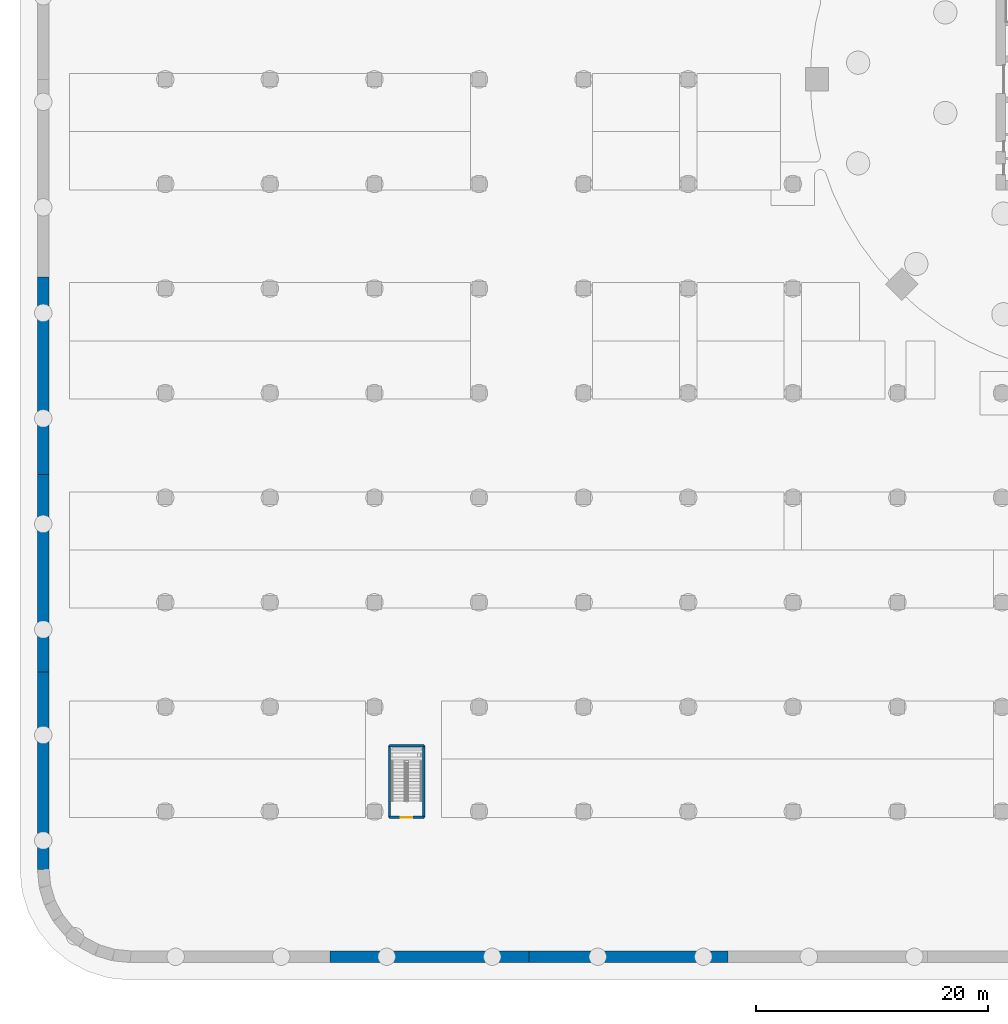
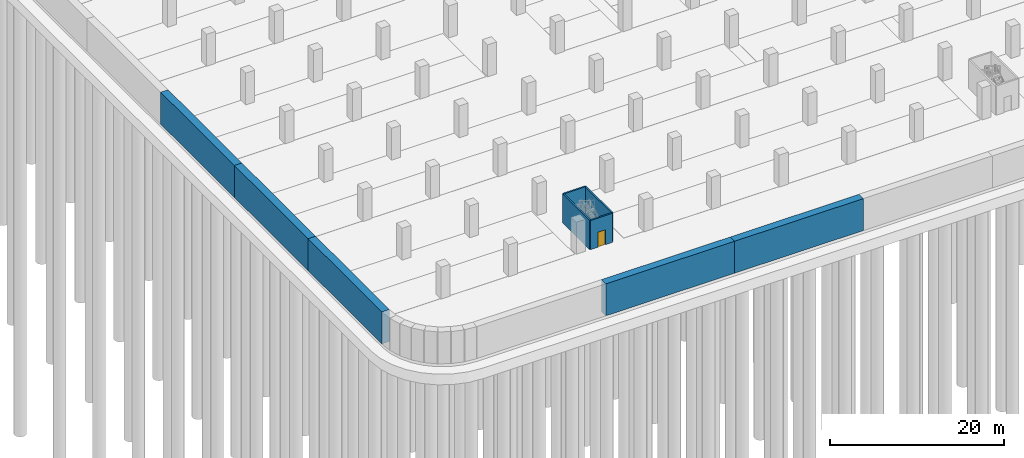
# One storey, part 12 of 39: 9 walls, 1 door, 1 opening.
"""IFC4 building model written with IfcOpenShell, lengths in metres."""

from ifc_helpers import new_model, si_unit, direction, frame, frame_2d, origin, place, context, subcontext, project, spatial, rectangle, extrude, material, layer, layer_set, type_object, element, fill, save


model = new_model("IFC4")

# Units and contexts
model_context = context("Model", 3, precision=1e-05, world=origin(), true_north=direction((0.0, 1.0)))
body_context = subcontext(model_context, "Body", "Model", "MODEL_VIEW")
ifc_project = project(units=[si_unit("LENGTHUNIT", "METRE"), si_unit("AREAUNIT", "SQUARE_METRE"), si_unit("VOLUMEUNIT", "CUBIC_METRE"), si_unit("PLANEANGLEUNIT", "RADIAN"), si_unit("MASSUNIT", "GRAM", prefix="KILO")], contexts=[model_context])

# Site, building, storey
site_placement = place(None, origin())
site = spatial("IfcSite", under=ifc_project, at=site_placement, CompositionType="ELEMENT")
building_placement = place(site_placement, origin())
building = spatial("IfcBuilding", under=site, at=building_placement, Name="Ogive Gate Towers", CompositionType="ELEMENT")
storey_placement = place(building_placement, frame((0.0, 0.0, -9.0)))
storey = spatial("IfcBuildingStorey", under=building, at=storey_placement, Name="B2", CompositionType="ELEMENT", Elevation=-9.0)

# Wall, opening, door
ifc_material_1 = material(Name="Reinforced concrete C32/40", Category="concrete")
ifc_layer_1 = layer(ifc_material_1, 0.199951171875)
ifc_layer_set_1 = layer_set([ifc_layer_1], Name="Car park stair shaft wall 200")
wall_type_1 = type_object("IfcWallType", Name="Car park stair shaft wall 200", PredefinedType="SOLIDWALL", material=ifc_layer_set_1)
wall_1_placement = place(storey_placement, frame((-94.75, -63.5, 0.0), z_axis=(0.0, 0.0, 1.0), x_axis=(-1.0, 0.0, 0.0)))
wall_1 = element("IfcWall", 1, at=wall_1_placement, inside=storey, type_object=wall_type_1, Name="CS5 stair shaft wall B2 1", PredefinedType="SOLIDWALL", context=body_context, shape_type="SweptSolid", body=[
    extrude(rectangle(XDim=2.949951171875, YDim=0.199951171875, at=frame_2d((1.47509765625, 0.0))), origin(), (0.0, 0.0, 1.0), 4.10009765625),
])
opening_placement = place(wall_1_placement, frame((0.97509765625, 0.0, 0.0)))
opening = element("IfcOpeningElement", 2, at=opening_placement, cuts=wall_1, Name="Opening CPD35-B2", PredefinedType="OPENING", context=body_context, shape_type="SweptSolid", body=[
    extrude(rectangle(XDim=1.0, YDim=2.10009765625, at=frame_2d((0.5, 1.050048828125))), frame((0.0, 0.10986328125, 0.0), z_axis=(0.0, -1.0, 0.0), x_axis=(1.0, 0.0, 0.0)), (0.0, 0.0, 1.0), 0.219970703125),
])
ifc_material_2 = material(Name="Painted steel door", Category="steel")
door_type = type_object("IfcDoorType", Name="Stair house door 1000 x 2100", OperationType="SINGLE_SWING_LEFT", PredefinedType="DOOR", material=ifc_material_2)
door_placement = place(opening_placement, origin())
door = element("IfcDoor", 3, at=door_placement, inside=storey, type_object=door_type, Name="Door CS5 stair B2", OperationType="SINGLE_SWING_LEFT", OverallHeight=2.10009765625, OverallWidth=1.0, PredefinedType="DOOR", context=body_context, shape_type="SweptSolid", body=[
    extrude(rectangle(XDim=1.0, YDim=2.10009765625, at=frame_2d((0.5, 1.050048828125))), frame((0.0, 0.02490234375, 0.0), z_axis=(0.0, -1.0, 0.0), x_axis=(1.0, 0.0, 0.0)), (0.0, 0.0, 1.0), 0.050048828125),
])
fill(opening, door)

# Walls
wall_2_placement = place(storey_placement, frame((-97.699951171875, -63.5, 0.0), z_axis=(0.0, 0.0, 1.0), x_axis=(0.0, 1.0, 0.0)))
element("IfcWall", 4, at=wall_2_placement, inside=storey, type_object=wall_type_1, Name="CS5 stair shaft wall B2 2", PredefinedType="SOLIDWALL", context=body_context, shape_type="SweptSolid", body=[
    extrude(rectangle(XDim=6.159912109375, YDim=0.199951171875, at=frame_2d((3.080078125, 0.0))), origin(), (0.0, 0.0, 1.0), 4.10009765625),
])
wall_3_placement = place(storey_placement, frame((-97.699951171875, -57.340087890625, 0.0), z_axis=(0.0, 0.0, 1.0), x_axis=(1.0, 0.0, 0.0)))
element("IfcWall", 5, at=wall_3_placement, inside=storey, type_object=wall_type_1, Name="CS5 stair shaft wall B2 3", PredefinedType="SOLIDWALL", context=body_context, shape_type="SweptSolid", body=[
    extrude(rectangle(XDim=2.949951171875, YDim=0.199951171875, at=frame_2d((1.47509765625, 0.0))), origin(), (0.0, 0.0, 1.0), 4.10009765625),
])
wall_4_placement = place(storey_placement, frame((-94.75, -57.340087890625, 0.0), z_axis=(0.0, 0.0, 1.0), x_axis=(0.0, -1.0, 0.0)))
element("IfcWall", 6, at=wall_4_placement, inside=storey, type_object=wall_type_1, Name="CS5 stair shaft wall B2 4", PredefinedType="SOLIDWALL", context=body_context, shape_type="SweptSolid", body=[
    extrude(rectangle(XDim=6.159912109375, YDim=0.199951171875, at=frame_2d((3.080078125, 0.0))), origin(), (0.0, 0.0, 1.0), 4.10009765625),
])
ifc_material_3 = material(Name="Concrete C40/50", Category="concrete")
ifc_layer_2 = layer(ifc_material_3, 1.0)
ifc_layer_set_2 = layer_set([ifc_layer_2], Name="Retaining wall 1000")
wall_type_2 = type_object("IfcWallType", Name="Retaining wall 1000", PredefinedType="SOLIDWALL", material=ifc_layer_set_2)
for number, where, z_axis, x_axis, name in (
    (7, (-68.557373046875, -75.5, 0.0), (0.0, 0.0, 1.0), (-1.0, 0.0, 0.0), "BS/B2/SWL012"),
    (8, (-85.69677734375, -75.5, 0.0), (0.0, 0.0, 1.0), (-1.0, 0.0, 0.0), "BS/B2/SWL013"),
):
    element("IfcWall", number, at=place(storey_placement, frame(where, z_axis=z_axis, x_axis=x_axis)), inside=storey, type_object=wall_type_2, Name=name, PredefinedType="SOLIDWALL", context=body_context, shape_type="SweptSolid", body=[
        extrude(rectangle(XDim=17.139404296875, YDim=1.0, at=frame_2d((8.56982421875, 0.0))), origin(), (0.0, 0.0, 1.0), 4.5),
    ])
wall_5_placement = place(storey_placement, frame((-127.5, -67.975341796875, 0.0), z_axis=(0.0, 0.0, 1.0), x_axis=(0.0, 1.0, 0.0)))
element("IfcWall", 9, at=wall_5_placement, inside=storey, type_object=wall_type_2, Name="BS/B2/SWL023", PredefinedType="SOLIDWALL", context=body_context, shape_type="SweptSolid", body=[
    extrude(rectangle(XDim=16.99365234375, YDim=1.0, at=frame_2d((8.496826171875, 0.0))), origin(), (0.0, 0.0, 1.0), 4.5),
])
for number, where, z_axis, x_axis, name in (
    (10, (-127.5, -50.981689453125, 0.0), (0.0, 0.0, 1.0), (0.0, 1.0, 0.0), "BS/B2/SWL024"),
    (11, (-127.5, -33.98779296875, 0.0), (0.0, 0.0, 1.0), (0.0, 1.0, 0.0), "BS/B2/SWL025"),
):
    element("IfcWall", number, at=place(storey_placement, frame(where, z_axis=z_axis, x_axis=x_axis)), inside=storey, type_object=wall_type_2, Name=name, PredefinedType="SOLIDWALL", context=body_context, shape_type="SweptSolid", body=[
        extrude(rectangle(XDim=16.993896484375, YDim=1.0, at=frame_2d((8.4970703125, 0.0))), origin(), (0.0, 0.0, 1.0), 4.5),
    ])

save(model, "model.ifc")
